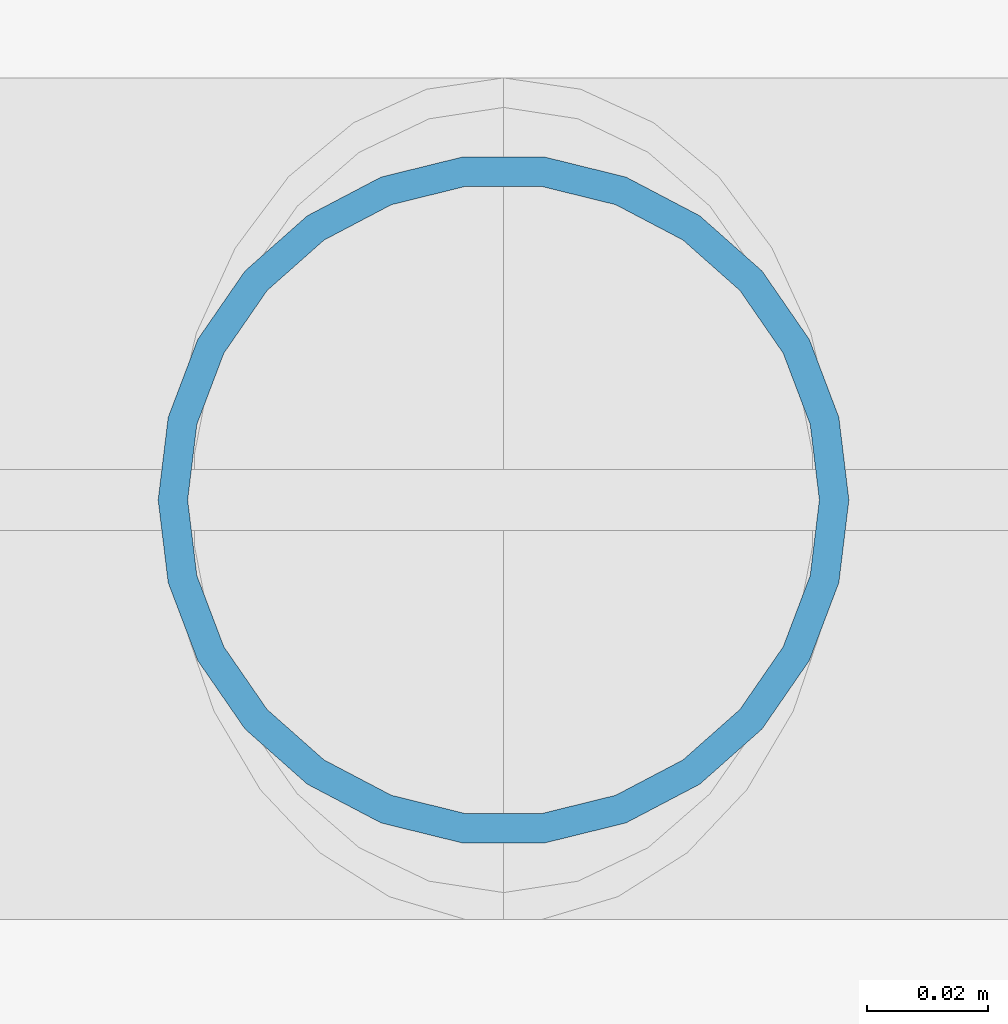
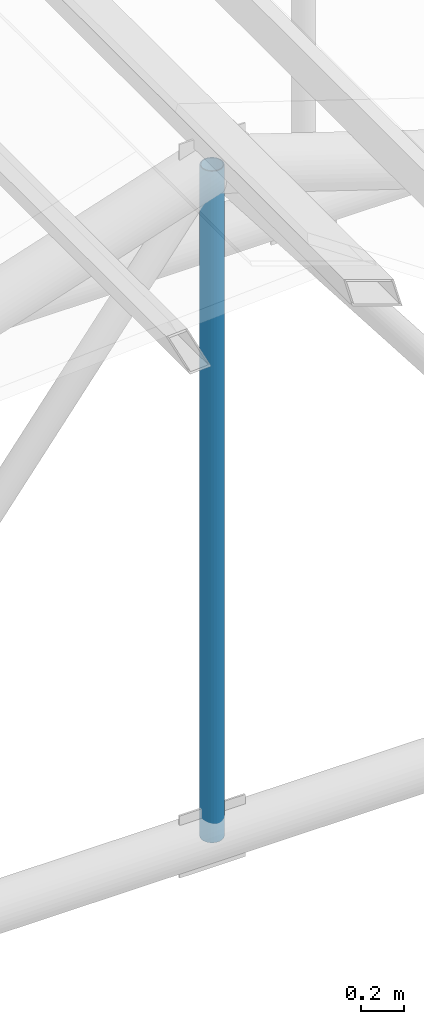
# One storey, part 27 of 95: 1 member.
"""IFC4 building model written with IfcOpenShell, lengths in metres."""

from ifc_helpers import new_model, si_unit, direction, frame, origin, origin_2d, place, context, subcontext, project, spatial, hollow_circle, extrude, material, material_profile, profile_set, type_object, element, save


model = new_model("IFC4")

# Units and contexts
model_context = context("Model", 3, precision=1e-05, world=origin(), true_north=direction((0.0, 1.0)))
body_context = subcontext(model_context, "Body", "Model", "MODEL_VIEW")
ifc_project = project(units=[si_unit("LENGTHUNIT", "METRE"), si_unit("AREAUNIT", "SQUARE_METRE"), si_unit("VOLUMEUNIT", "CUBIC_METRE"), si_unit("PLANEANGLEUNIT", "RADIAN"), si_unit("MASSUNIT", "GRAM", prefix="KILO")], contexts=[model_context])

# Site, building, storey
site_placement = place(None, origin())
site = spatial("IfcSite", under=ifc_project, at=site_placement, CompositionType="ELEMENT")
building_placement = place(site_placement, origin())
building = spatial("IfcBuilding", under=site, at=building_placement, Name="Kiln Court Media Centre", CompositionType="ELEMENT")
storey_placement = place(building_placement, frame((0.0, 0.0, 24.60009765625)))
storey = spatial("IfcBuildingStorey", under=building, at=storey_placement, Name="L05", CompositionType="ELEMENT", Elevation=24.60009765625)

# Member
ifc_material = material(Name="Steel ASTM A500 Gr C", Category="steel")
ifc_material_profile = material_profile(ifc_material, hollow_circle(Radius=0.05712890625, WallThickness=0.0048828125, at=origin_2d()), Name="CHS 114.3x5.0")
ifc_profile_set = profile_set([ifc_material_profile], Name="Steel ASTM A500 Gr C")
member_type = type_object("IfcMemberType", Name="Steel ASTM A500 Gr C CHS 114.3x5.0 truss web", PredefinedType="BRACE", material=ifc_profile_set)
member_placement = place(storey_placement, frame((46.39990234375, 46.199951171875, -0.013916015625), z_axis=(0.0, 0.0, 1.0), x_axis=(1.0, 0.0, 0.0)))
element("IfcMember", 1, at=member_placement, inside=storey, type_object=member_type, Name="foyer truss FT-06 post 4 truss web", PredefinedType="BRACE", context=body_context, shape_type="SweptSolid", body=[
    extrude(hollow_circle(Radius=0.05712890625, WallThickness=0.0048828125, at=origin_2d()), origin(), (0.0, 0.0, 1.0), 3.785400390625),
])

save(model, "model.ifc")
